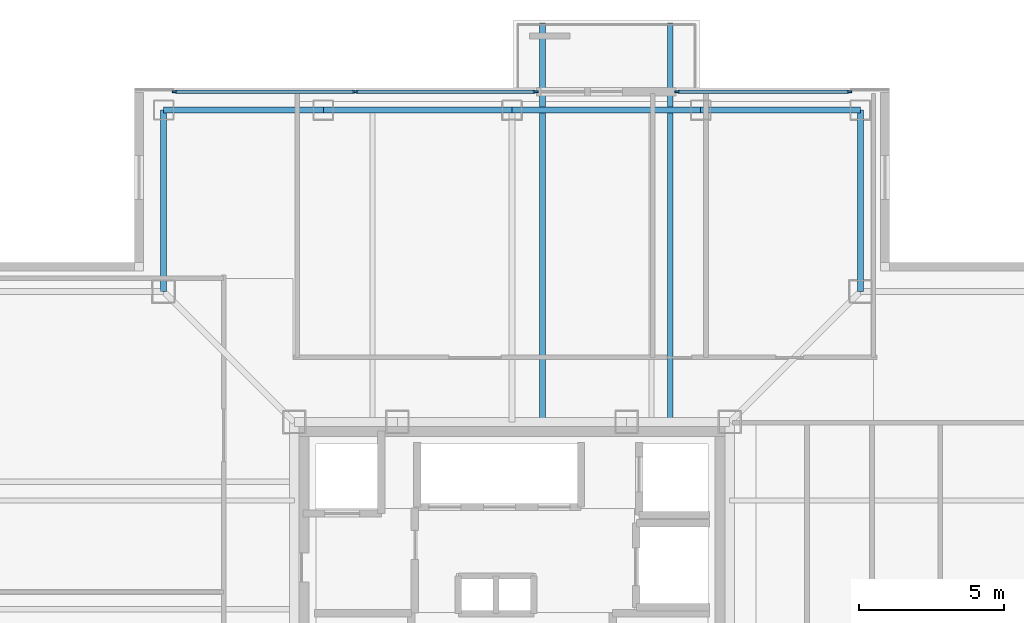
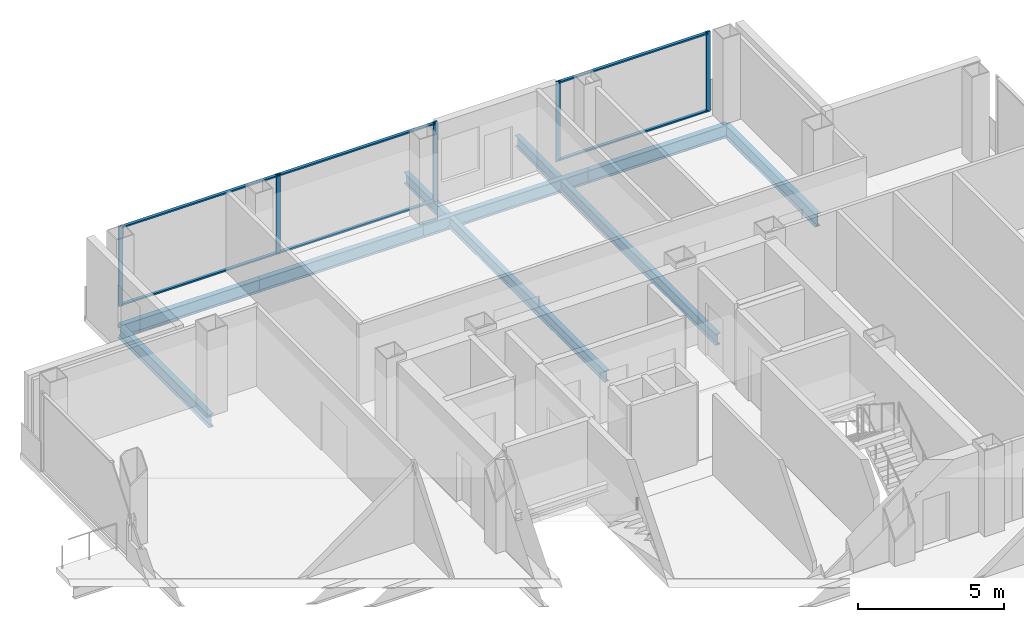
# One storey, part 7 of 13: 11 members, 8 beams, 2 elements without a shape of their own.
"""IFC4 building model written with IfcOpenShell, lengths in metres."""

from ifc_helpers import new_model, si_unit, direction, frame, origin, origin_2d, place, context, subcontext, project, spatial, rectangle, i_section, extrude, material, layer, layer_set, material_profile, profile_set, type_object, element, aggregate, save


model = new_model("IFC4")

# Units and contexts
model_context = context("Model", 3, precision=1e-05, world=origin(), true_north=direction((0.0, 1.0)))
body_context = subcontext(model_context, "Body", "Model", "MODEL_VIEW")
ifc_project = project(units=[si_unit("LENGTHUNIT", "METRE"), si_unit("AREAUNIT", "SQUARE_METRE"), si_unit("VOLUMEUNIT", "CUBIC_METRE"), si_unit("PLANEANGLEUNIT", "RADIAN"), si_unit("MASSUNIT", "GRAM", prefix="KILO")], contexts=[model_context])

# Site, building, storey
site_placement = place(None, origin())
site = spatial("IfcSite", under=ifc_project, at=site_placement, CompositionType="ELEMENT")
building_placement = place(site_placement, origin())
building = spatial("IfcBuilding", under=site, at=building_placement, Name="Trevonay Congress Spire", CompositionType="ELEMENT")
storey_placement = place(building_placement, frame((0.0, 0.0, 254.0)))
storey = spatial("IfcBuildingStorey", under=building, at=storey_placement, Name="L66", CompositionType="ELEMENT", Elevation=254.0)

# Beams
ifc_material_1 = material(Name="Steel ASTM A572 Grade 50", Category="steel")
ifc_material_profile_1 = material_profile(ifc_material_1, i_section(OverallWidth=0.194091796875, OverallDepth=0.468994140625, WebThickness=0.011474609375, FlangeThickness=0.01953125, FilletRadius=0.013916015625, at=origin_2d()), Name="W460x106")
ifc_profile_set_1 = profile_set([ifc_material_profile_1], Name="Steel ASTM A572 Grade 50")
beam_type_1 = type_object("IfcBeamType", Name="BM-BAL-LOOKOUT", PredefinedType="BEAM", material=ifc_profile_set_1)
for number, where, z_axis, x_axis, name in (
    (1, (1.050048828125, 7.5, -0.474609375), (0.0, 1.0, 0.0), (-1.0, 0.0, 0.0), "L66 structural beam LKT-L66-N1"),
    (2, (5.449951171875, 7.5, -0.474609375), (0.0, 1.0, 0.0), (-1.0, 0.0, 0.0), "L66 structural beam LKT-L66-N2"),
):
    element("IfcBeam", number, at=place(storey_placement, frame(where, z_axis=z_axis, x_axis=x_axis)), inside=storey, type_object=beam_type_1, Name=name, PredefinedType="BEAM", context=body_context, shape_type="SweptSolid", body=[
        extrude(i_section(OverallWidth=0.194091796875, OverallDepth=0.468994140625, WebThickness=0.011474609375, FlangeThickness=0.01953125, FilletRadius=0.013916015625, at=origin_2d()), origin(), (0.0, 0.0, 1.0), 13.75),
    ])
ifc_material_profile_2 = material_profile(ifc_material_1, i_section(OverallWidth=0.208984375, OverallDepth=0.532958984375, WebThickness=0.01025390625, FlangeThickness=0.015625, FilletRadius=0.014892578125, at=origin_2d()), Name="W530x92")
ifc_profile_set_2 = profile_set([ifc_material_profile_2], Name="Steel ASTM A572 Grade 50")
beam_type_2 = type_object("IfcBeamType", Name="BM-RING-W530X92", PredefinedType="BEAM", material=ifc_profile_set_2)
beam_1_placement = place(storey_placement, frame((-12.0, 18.25, -0.506591796875), z_axis=(1.0, 0.0, 0.0), x_axis=(0.0, 1.0, 0.0)))
element("IfcBeam", 3, at=beam_1_placement, inside=storey, type_object=beam_type_2, Name="L66 structural beam BM-L66-PN1", PredefinedType="BEAM", context=body_context, shape_type="SweptSolid", body=[
    extrude(i_section(OverallWidth=0.208984375, OverallDepth=0.532958984375, WebThickness=0.01025390625, FlangeThickness=0.015625, FilletRadius=0.014892578125, at=origin_2d()), origin(), (0.0, 0.0, 1.0), 5.5),
])
for number, where, z_axis, x_axis, name in (
    (4, (-6.5, 18.25, -0.506591796875), (1.0, 0.0, 0.0), (0.0, 1.0, 0.0), "L66 structural beam BM-L66-PN2"),
    (5, (0.0, 18.25, -0.506591796875), (1.0, 0.0, 0.0), (0.0, 1.0, 0.0), "L66 structural beam BM-L66-PN3"),
):
    element("IfcBeam", number, at=place(storey_placement, frame(where, z_axis=z_axis, x_axis=x_axis)), inside=storey, type_object=beam_type_2, Name=name, PredefinedType="BEAM", context=body_context, shape_type="SweptSolid", body=[
        extrude(i_section(OverallWidth=0.208984375, OverallDepth=0.532958984375, WebThickness=0.01025390625, FlangeThickness=0.015625, FilletRadius=0.014892578125, at=origin_2d()), origin(), (0.0, 0.0, 1.0), 6.5),
    ])
beam_2_placement = place(storey_placement, frame((6.5, 18.25, -0.506591796875), z_axis=(1.0, 0.0, 0.0), x_axis=(0.0, 1.0, 0.0)))
element("IfcBeam", 6, at=beam_2_placement, inside=storey, type_object=beam_type_2, Name="L66 structural beam BM-L66-PN4", PredefinedType="BEAM", context=body_context, shape_type="SweptSolid", body=[
    extrude(i_section(OverallWidth=0.208984375, OverallDepth=0.532958984375, WebThickness=0.01025390625, FlangeThickness=0.015625, FilletRadius=0.014892578125, at=origin_2d()), origin(), (0.0, 0.0, 1.0), 5.5),
])
for number, where, z_axis, x_axis, name in (
    (7, (12.0, 18.25, -0.506591796875), (0.0, -1.0, 0.0), (1.0, 0.0, 0.0), "L66 structural beam BM-L66-N1NE"),
    (8, (-12.0, 18.25, -0.506591796875), (0.0, -1.0, 0.0), (1.0, 0.0, 0.0), "L66 structural beam BM-L66-N1NW"),
):
    element("IfcBeam", number, at=place(storey_placement, frame(where, z_axis=z_axis, x_axis=x_axis)), inside=storey, type_object=beam_type_2, Name=name, PredefinedType="BEAM", context=body_context, shape_type="SweptSolid", body=[
        extrude(i_section(OverallWidth=0.208984375, OverallDepth=0.532958984375, WebThickness=0.01025390625, FlangeThickness=0.015625, FilletRadius=0.014892578125, at=origin_2d()), origin(), (0.0, 0.0, 1.0), 6.25),
    ])

# Curtain wall, members
ifc_material_2 = material(Name="Pale Anodised Aluminium EN AW-6063-T6", Category="aluminium")
ifc_layer = layer(ifc_material_2, 0.1650390625, Name="Pale Anodised Aluminium EN AW-6063-T6")
ifc_layer_set = layer_set([ifc_layer], Name="Pale Anodised Aluminium EN AW-6063-T6")
curtain_wall_type = type_object("IfcCurtainWallType", Name="CW-SYS05-DIPLOM-PALE-METAL", PredefinedType="NOTDEFINED", material=ifc_layer_set)
curtain_wall_1_placement = place(storey_placement, origin())
curtain_wall_1 = element("IfcCurtainWall", 9, at=curtain_wall_1_placement, inside=storey, type_object=curtain_wall_type, Name="L66 NA unitised curtain wall", PredefinedType="NOTDEFINED")
ifc_material_profile_3 = material_profile(ifc_material_2, rectangle(XDim=0.06005859375, YDim=0.159912109375, at=origin_2d()), Name="CW-MULLION-160-ALUMINIUM")
ifc_profile_set_3 = profile_set([ifc_material_profile_3], Name="Pale Anodised Aluminium EN AW-6063-T6")
member_type_1 = type_object("IfcMemberType", Name="CW-MULLION-160-ALUMINIUM", PredefinedType="MULLION", material=ifc_profile_set_3)
member_1_placement = place(storey_placement, frame((-11.6201171875, 18.8798828125, 0.0), z_axis=(0.0, 0.0, 1.0), x_axis=(0.0, 1.0, 0.0)))
member_1 = element("IfcMember", 10, at=member_1_placement, type_object=member_type_1, Name="CW05 mullion 1", PredefinedType="MULLION", context=body_context, shape_type="SweptSolid", body=[
    extrude(rectangle(XDim=0.06005859375, YDim=0.159912109375, at=origin_2d()), origin(), (0.0, 0.0, 1.0), 3.360107421875),
])
member_2_placement = place(storey_placement, frame((-5.39990234375, 18.8798828125, 0.0), z_axis=(0.0, 0.0, 1.0), x_axis=(0.0, 1.0, 0.0)))
member_2 = element("IfcMember", 11, at=member_2_placement, type_object=member_type_1, Name="CW05 mullion 2", PredefinedType="MULLION", context=body_context, shape_type="SweptSolid", body=[
    extrude(rectangle(XDim=0.06005859375, YDim=0.159912109375, at=origin_2d()), origin(), (0.0, 0.0, 1.0), 3.360107421875),
])
member_3_placement = place(storey_placement, frame((0.820068359375, 18.8798828125, 0.0), z_axis=(0.0, 0.0, 1.0), x_axis=(0.0, 1.0, 0.0)))
member_3 = element("IfcMember", 12, at=member_3_placement, type_object=member_type_1, Name="CW05 mullion 3", PredefinedType="MULLION", context=body_context, shape_type="SweptSolid", body=[
    extrude(rectangle(XDim=0.06005859375, YDim=0.159912109375, at=origin_2d()), origin(), (0.0, 0.0, 1.0), 3.360107421875),
])

curtain_wall_2_placement = place(storey_placement, origin())
curtain_wall_2 = element("IfcCurtainWall", 13, at=curtain_wall_2_placement, inside=storey, type_object=curtain_wall_type, Name="L66 NB unitised curtain wall", PredefinedType="NOTDEFINED")
member_4_placement = place(storey_placement, frame((5.679931640625, 18.8798828125, 0.0), z_axis=(0.0, 0.0, 1.0), x_axis=(0.0, 1.0, 0.0)))
member_4 = element("IfcMember", 14, at=member_4_placement, type_object=member_type_1, Name="CW05 mullion 1", PredefinedType="MULLION", context=body_context, shape_type="SweptSolid", body=[
    extrude(rectangle(XDim=0.06005859375, YDim=0.159912109375, at=origin_2d()), origin(), (0.0, 0.0, 1.0), 3.360107421875),
])
member_5_placement = place(storey_placement, frame((11.6201171875, 18.8798828125, 0.0), z_axis=(0.0, 0.0, 1.0), x_axis=(0.0, 1.0, 0.0)))
member_5 = element("IfcMember", 15, at=member_5_placement, type_object=member_type_1, Name="CW05 mullion 2", PredefinedType="MULLION", context=body_context, shape_type="SweptSolid", body=[
    extrude(rectangle(XDim=0.06005859375, YDim=0.159912109375, at=origin_2d()), origin(), (0.0, 0.0, 1.0), 3.360107421875),
])

# Member
ifc_material_profile_4 = material_profile(ifc_material_2, rectangle(XDim=0.1201171875, YDim=0.06005859375, at=origin_2d()), Name="CW-TRANSOM-120-ALUMINIUM")
ifc_profile_set_4 = profile_set([ifc_material_profile_4], Name="Pale Anodised Aluminium EN AW-6063-T6")
member_type_2 = type_object("IfcMemberType", Name="CW-TRANSOM-120-ALUMINIUM", PredefinedType="USERDEFINED", material=ifc_profile_set_4)
member_6_placement = place(storey_placement, frame((-11.590087890625, 18.8798828125, 0.06005859375), z_axis=(1.0, 0.0, 0.0), x_axis=(0.0, 1.0, 0.0)))
member_6 = element("IfcMember", 16, at=member_6_placement, type_object=member_type_2, Name="CW05 transom 1.1", ObjectType="TRANSOM", PredefinedType="USERDEFINED", context=body_context, shape_type="SweptSolid", body=[
    extrude(rectangle(XDim=0.1201171875, YDim=0.06005859375, at=origin_2d()), origin(), (0.0, 0.0, 1.0), 6.16015625),
])

member_7_placement = place(storey_placement, frame((-11.590087890625, 18.8798828125, 3.300048828125), z_axis=(1.0, 0.0, 0.0), x_axis=(0.0, 1.0, 0.0)))
member_7 = element("IfcMember", 17, at=member_7_placement, type_object=member_type_2, Name="CW05 transom 1.2", ObjectType="TRANSOM", PredefinedType="USERDEFINED", context=body_context, shape_type="SweptSolid", body=[
    extrude(rectangle(XDim=0.1201171875, YDim=0.06005859375, at=origin_2d()), origin(), (0.0, 0.0, 1.0), 6.16015625),
])

member_8_placement = place(storey_placement, frame((-5.3701171875, 18.8798828125, 0.06005859375), z_axis=(1.0, 0.0, 0.0), x_axis=(0.0, 1.0, 0.0)))
member_8 = element("IfcMember", 18, at=member_8_placement, type_object=member_type_2, Name="CW05 transom 2.1", ObjectType="TRANSOM", PredefinedType="USERDEFINED", context=body_context, shape_type="SweptSolid", body=[
    extrude(rectangle(XDim=0.1201171875, YDim=0.06005859375, at=origin_2d()), origin(), (0.0, 0.0, 1.0), 6.16015625),
])

member_9_placement = place(storey_placement, frame((-5.3701171875, 18.8798828125, 3.300048828125), z_axis=(1.0, 0.0, 0.0), x_axis=(0.0, 1.0, 0.0)))
member_9 = element("IfcMember", 19, at=member_9_placement, type_object=member_type_2, Name="CW05 transom 2.2", ObjectType="TRANSOM", PredefinedType="USERDEFINED", context=body_context, shape_type="SweptSolid", body=[
    extrude(rectangle(XDim=0.1201171875, YDim=0.06005859375, at=origin_2d()), origin(), (0.0, 0.0, 1.0), 6.16015625),
])

aggregate(curtain_wall_1, [member_1, member_2, member_3, member_6, member_7, member_8, member_9])

member_10_placement = place(storey_placement, frame((5.7099609375, 18.8798828125, 0.06005859375), z_axis=(1.0, 0.0, 0.0), x_axis=(0.0, 1.0, 0.0)))
member_10 = element("IfcMember", 20, at=member_10_placement, type_object=member_type_2, Name="CW05 transom 1.1", ObjectType="TRANSOM", PredefinedType="USERDEFINED", context=body_context, shape_type="SweptSolid", body=[
    extrude(rectangle(XDim=0.1201171875, YDim=0.06005859375, at=origin_2d()), origin(), (0.0, 0.0, 1.0), 5.880126953125),
])

member_11_placement = place(storey_placement, frame((5.7099609375, 18.8798828125, 3.300048828125), z_axis=(1.0, 0.0, 0.0), x_axis=(0.0, 1.0, 0.0)))
member_11 = element("IfcMember", 21, at=member_11_placement, type_object=member_type_2, Name="CW05 transom 1.2", ObjectType="TRANSOM", PredefinedType="USERDEFINED", context=body_context, shape_type="SweptSolid", body=[
    extrude(rectangle(XDim=0.1201171875, YDim=0.06005859375, at=origin_2d()), origin(), (0.0, 0.0, 1.0), 5.880126953125),
])

aggregate(curtain_wall_2, [member_4, member_5, member_10, member_11])

save(model, "model.ifc")
